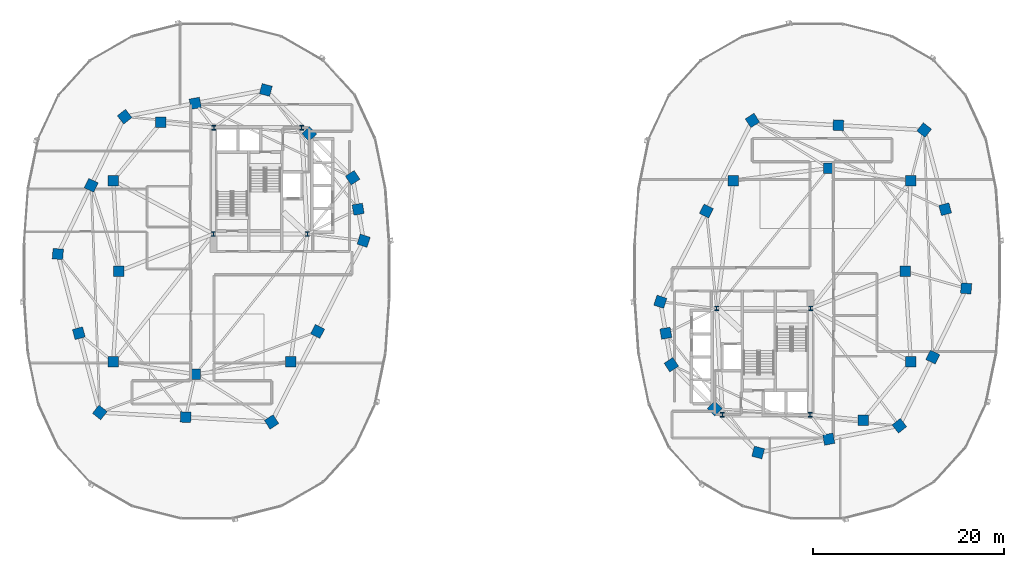
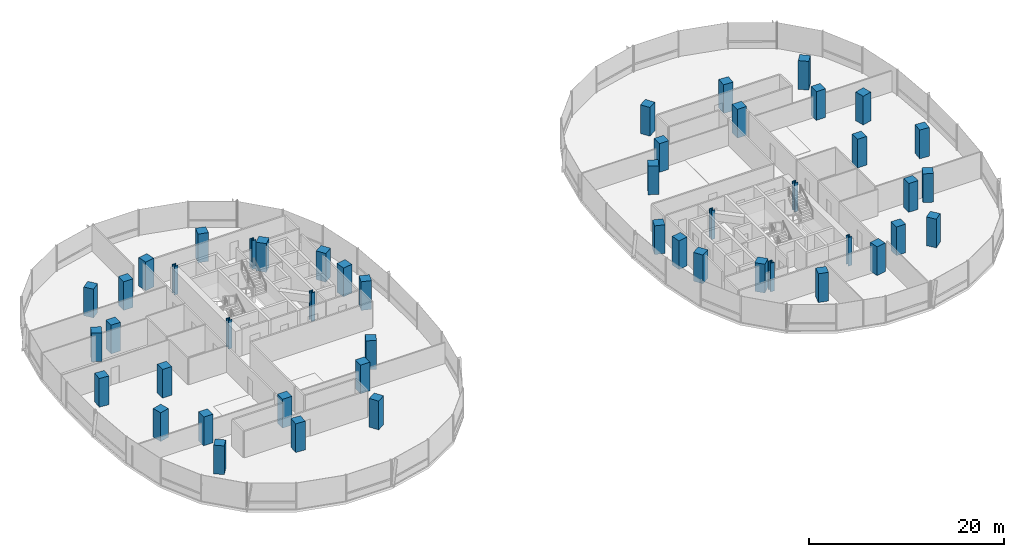
# One storey, part 1 of 21: 48 columns.
"""IFC4 building model written with IfcOpenShell, lengths in metres."""

from ifc_helpers import new_model, si_unit, direction, frame, origin, origin_2d, place, context, subcontext, project, spatial, rectangle, i_section, extrude, material, material_profile, profile_set, type_object, element, save


model = new_model("IFC4")

# Units and contexts
model_context = context("Model", 3, precision=1e-05, world=origin(), true_north=direction((0.0, 1.0)))
body_context = subcontext(model_context, "Body", "Model", "MODEL_VIEW")
ifc_project = project(units=[si_unit("LENGTHUNIT", "METRE"), si_unit("AREAUNIT", "SQUARE_METRE"), si_unit("VOLUMEUNIT", "CUBIC_METRE"), si_unit("PLANEANGLEUNIT", "RADIAN"), si_unit("MASSUNIT", "GRAM", prefix="KILO"), si_unit("THERMODYNAMICTEMPERATUREUNIT", "KELVIN"), si_unit("POWERUNIT", "WATT")], contexts=[model_context])

# Site, building, storey
site_placement = place(None, origin())
site = spatial("IfcSite", under=ifc_project, at=site_placement, CompositionType="ELEMENT")
building_placement = place(site_placement, origin())
building = spatial("IfcBuilding", under=site, at=building_placement, Name="Cundina Bronze Exchange", CompositionType="ELEMENT")
storey_placement = place(building_placement, frame((0.0, 0.0, 103.39990234375)))
storey = spatial("IfcBuildingStorey", under=building, at=storey_placement, Name="L26", CompositionType="ELEMENT", Elevation=103.39990234375)

# Columns
ifc_material_1 = material(Name="Steel ASTM A992 Grade 50", Category="steel")
ifc_material_profile_1 = material_profile(ifc_material_1, i_section(OverallWidth=0.431884765625, OverallDepth=0.498046875, WebThickness=0.0556640625, FlangeThickness=0.0888671875, FilletRadius=0.01806640625, at=origin_2d()), Name="W14X500", Category="steel")
ifc_profile_set_1 = profile_set([ifc_material_profile_1], Name="Steel ASTM A992 Grade 50")
column_type_1 = type_object("IfcColumnType", Name="COL-STL-W14A", PredefinedType="COLUMN", material=ifc_profile_set_1)
for number, where, z_axis, x_axis, name in (
    (1, (-31.300048828125, 3.89990234375, 0.0), (0.0, 0.0, 1.0), (1.0, 0.0, 0.0), "L26 Core Anchor Column W1"),
    (2, (-21.449951171875, 3.89990234375, 0.0), (0.0, 0.0, 1.0), (1.0, 0.0, 0.0), "L26 Core Anchor Column W2"),
    (3, (-22.050048828125, 15.050048828125, 0.0), (0.0, 0.0, 1.0), (1.0, 0.0, 0.0), "L26 Core Anchor Column W3"),
    (4, (-31.25, 15.050048828125, 0.0), (0.0, 0.0, 1.0), (1.0, 0.0, 0.0), "L26 Core Anchor Column W4"),
    (5, (31.300048828125, -3.89990234375, 0.0), (0.0, 0.0, 1.0), (1.0, 0.0, 0.0), "L26 Core Anchor Column E1"),
    (6, (21.449951171875, -3.89990234375, 0.0), (0.0, 0.0, 1.0), (1.0, 0.0, 0.0), "L26 Core Anchor Column E2"),
    (7, (22.050048828125, -15.050048828125, 0.0), (0.0, 0.0, 1.0), (1.0, 0.0, 0.0), "L26 Core Anchor Column E3"),
    (8, (31.25, -15.050048828125, 0.0), (0.0, 0.0, 1.0), (1.0, 0.0, 0.0), "L26 Core Anchor Column E4"),
):
    element("IfcColumn", number, at=place(storey_placement, frame(where, z_axis=z_axis, x_axis=x_axis)), inside=storey, type_object=column_type_1, Name=name, PredefinedType="COLUMN", context=body_context, shape_type="SweptSolid", body=[
        extrude(i_section(OverallWidth=0.431884765625, OverallDepth=0.498046875, WebThickness=0.0556640625, FlangeThickness=0.0888671875, FilletRadius=0.01806640625, at=origin_2d()), origin(), (0.0, 0.0, 1.0), 3.60009765625),
    ])
ifc_material_2 = material(Name="Concrete C60/75", Category="concrete")
ifc_material_profile_2 = material_profile(ifc_material_2, rectangle(XDim=1.10009765625, YDim=1.10009765625, at=origin_2d()), Name="RC1100X1100", Category="concrete")
ifc_profile_set_2 = profile_set([ifc_material_profile_2], Name="Concrete C60/75")
column_type_2 = type_object("IfcColumnType", Name="COL-Z2-1100", PredefinedType="COLUMN", material=ifc_profile_set_2)
for number, where, z_axis, x_axis, name in (
    (9, (-41.199951171875, 0.0, 0.0), (0.0, 0.0, 1.0), (1.0, 0.0, 0.0), "L26 W Inner Ring Column 1"),
    (10, (-41.800048828125, 9.5, 0.0), (0.0, 0.0, 1.0), (1.0, 0.0, 0.0), "L26 W Inner Ring Column 2"),
    (11, (-36.800048828125, 15.60009765625, 0.0), (0.0, 0.0, 1.0), (1.0, 0.0, 0.0), "L26 W Inner Ring Column 3"),
    (12, (-41.800048828125, -9.5, 0.0), (0.0, 0.0, 1.0), (1.0, 0.0, 0.0), "L26 W Inner Ring Column 4"),
    (13, (-33.199951171875, -10.800048828125, 0.0), (0.0, 0.0, 1.0), (1.0, 0.0, 0.0), "L26 W Inner Ring Column 5"),
    (14, (-23.199951171875, -9.5, 0.0), (0.0, 0.0, 1.0), (1.0, 0.0, 0.0), "L26 W Inner Ring Column 6"),
    (15, (41.199951171875, 0.0, 0.0), (0.0, 0.0, 1.0), (1.0, 0.0, 0.0), "L26 E Inner Ring Column 1"),
    (16, (41.800048828125, -9.5, 0.0), (0.0, 0.0, 1.0), (1.0, 0.0, 0.0), "L26 E Inner Ring Column 2"),
    (17, (36.800048828125, -15.60009765625, 0.0), (0.0, 0.0, 1.0), (1.0, 0.0, 0.0), "L26 E Inner Ring Column 3"),
    (18, (41.800048828125, 9.5, 0.0), (0.0, 0.0, 1.0), (1.0, 0.0, 0.0), "L26 E Inner Ring Column 4"),
    (19, (33.199951171875, 10.800048828125, 0.0), (0.0, 0.0, 1.0), (1.0, 0.0, 0.0), "L26 E Inner Ring Column 5"),
    (20, (23.199951171875, 9.5, 0.0), (0.0, 0.0, 1.0), (1.0, 0.0, 0.0), "L26 E Inner Ring Column 6"),
    (21, (-15.550048828125, 3.199951171875, 0.0), (0.0, 0.0, 1.0), (0.315152163383, 0.949041155016, 0.0), "L26 W Perimeter Column 00"),
    (22, (-16.125, 6.5, 0.0), (0.0, 0.0, 1.0), (-0.171585221787, 0.985169280715, 0.0), "L26 W Perimeter Column 01"),
    (23, (-16.699951171875, 9.800048828125, 0.0), (0.0, 0.0, 1.0), (-0.544199833495, 0.838955625301, 0.0), "L26 W Perimeter Column 02"),
    (24, (-21.25, 14.39990234375, 0.0), (0.0, 0.0, 1.0), (-0.703270634186, 0.710922228581, 0.0), "L26 W Perimeter Column 03"),
    (25, (-25.800048828125, 19.0, 0.0), (0.0, 0.0, 1.0), (-0.965970984022, 0.258650455301, 0.0), "L26 W Perimeter Column 04"),
    (26, (-33.199951171875, 17.60009765625, 0.0), (0.0, 0.0, 1.0), (-0.98258037664, -0.185838110843, 0.0), "L26 W Perimeter Column 05"),
    (27, (-40.60009765625, 16.199951171875, 0.0), (0.0, 0.0, 1.0), (-0.785100778485, -0.619368038909, 0.0), "L26 W Perimeter Column 06"),
    (28, (-44.10009765625, 9.0, 0.0), (0.0, 0.0, 1.0), (-0.437115766651, -0.899405251566, 0.0), "L26 W Perimeter Column 07"),
    (29, (-47.60009765625, 1.800048828125, 0.0), (0.0, 0.0, 1.0), (-0.083503921245, -0.996507448611, 0.0), "L26 W Perimeter Column 08"),
    (30, (-45.39990234375, -6.5, 0.0), (0.0, 0.0, 1.0), (0.256289373133, -0.966600102017, 0.0), "L26 W Perimeter Column 09"),
    (31, (-43.199951171875, -14.800048828125, 0.0), (0.0, 0.0, 1.0), (0.786288432137, -0.61785961309, 0.0), "L26 W Perimeter Column 10"),
    (32, (-34.199951171875, -15.300048828125, 0.0), (0.0, 0.0, 1.0), (0.998460188734, -0.055472980025, 0.0), "L26 W Perimeter Column 11"),
    (33, (-25.199951171875, -15.800048828125, 0.0), (0.0, 0.0, 1.0), (0.838099763533, 0.545516989988, 0.0), "L26 W Perimeter Column 12"),
    (34, (-20.375, -6.300048828125, 0.0), (0.0, 0.0, 1.0), (0.452901591366, 0.891560513111, 0.0), "L26 W Perimeter Column 13"),
    (35, (15.550048828125, -3.199951171875, 0.0), (0.0, 0.0, 1.0), (-0.315152163383, -0.949041155016, 0.0), "L26 E Perimeter Column 00"),
    (36, (16.125, -6.5, 0.0), (0.0, 0.0, 1.0), (0.171585221787, -0.985169280715, 0.0), "L26 E Perimeter Column 01"),
    (37, (16.699951171875, -9.800048828125, 0.0), (0.0, 0.0, 1.0), (0.544199833495, -0.838955625301, 0.0), "L26 E Perimeter Column 02"),
    (38, (21.25, -14.39990234375, 0.0), (0.0, 0.0, 1.0), (0.703270634186, -0.710922228581, 0.0), "L26 E Perimeter Column 03"),
    (39, (25.800048828125, -19.0, 0.0), (0.0, 0.0, 1.0), (0.965970984022, -0.258650455301, 0.0), "L26 E Perimeter Column 04"),
    (40, (33.199951171875, -17.60009765625, 0.0), (0.0, 0.0, 1.0), (0.98258037664, 0.185838110843, 0.0), "L26 E Perimeter Column 05"),
    (41, (40.60009765625, -16.199951171875, 0.0), (0.0, 0.0, 1.0), (0.785100778485, 0.619368038909, 0.0), "L26 E Perimeter Column 06"),
    (42, (44.10009765625, -9.0, 0.0), (0.0, 0.0, 1.0), (0.437115766651, 0.899405251566, 0.0), "L26 E Perimeter Column 07"),
    (43, (47.60009765625, -1.800048828125, 0.0), (0.0, 0.0, 1.0), (0.083503921245, 0.996507448611, 0.0), "L26 E Perimeter Column 08"),
    (44, (45.39990234375, 6.5, 0.0), (0.0, 0.0, 1.0), (-0.256289373133, 0.966600102017, 0.0), "L26 E Perimeter Column 09"),
    (45, (43.199951171875, 14.800048828125, 0.0), (0.0, 0.0, 1.0), (-0.786288432137, 0.61785961309, 0.0), "L26 E Perimeter Column 10"),
    (46, (34.199951171875, 15.300048828125, 0.0), (0.0, 0.0, 1.0), (-0.998460188734, 0.055472980025, 0.0), "L26 E Perimeter Column 11"),
    (47, (25.199951171875, 15.800048828125, 0.0), (0.0, 0.0, 1.0), (-0.838099763533, -0.545516989988, 0.0), "L26 E Perimeter Column 12"),
    (48, (20.375, 6.300048828125, 0.0), (0.0, 0.0, 1.0), (-0.452901591366, -0.891560513111, 0.0), "L26 E Perimeter Column 13"),
):
    element("IfcColumn", number, at=place(storey_placement, frame(where, z_axis=z_axis, x_axis=x_axis)), inside=storey, type_object=column_type_2, Name=name, PredefinedType="COLUMN", context=body_context, shape_type="SweptSolid", body=[
        extrude(rectangle(XDim=1.10009765625, YDim=1.10009765625, at=origin_2d()), origin(), (0.0, 0.0, 1.0), 3.60009765625),
    ])

save(model, "model.ifc")
